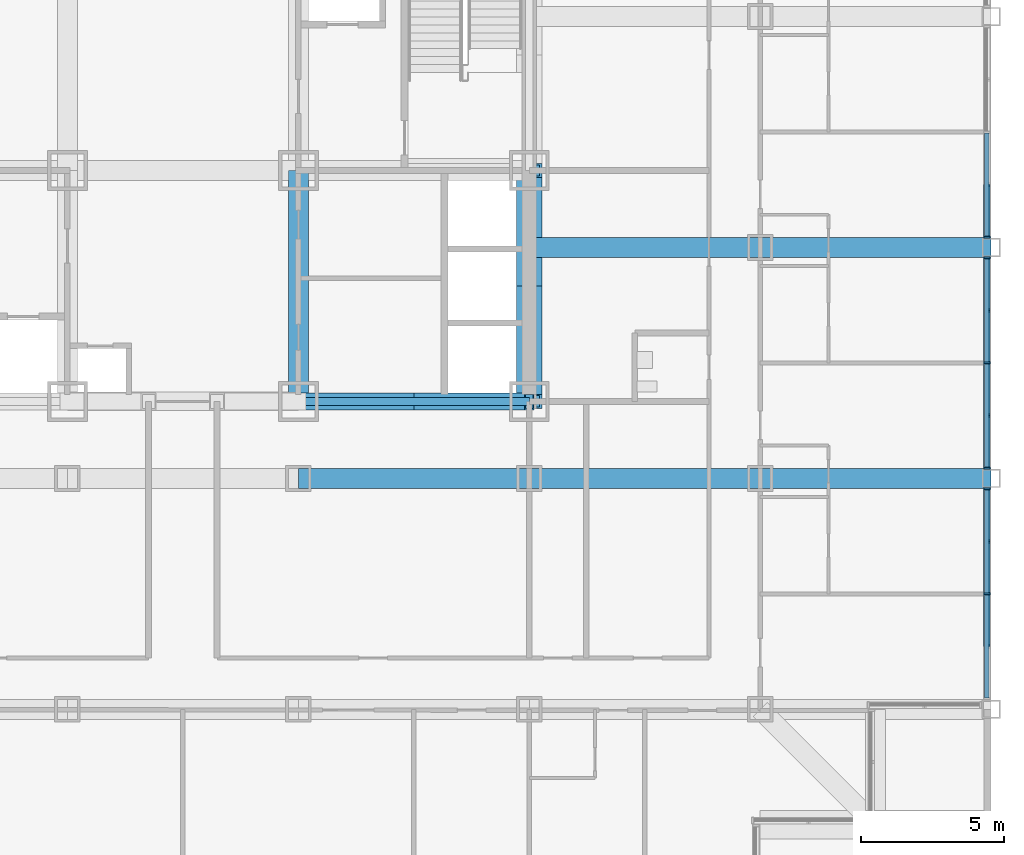
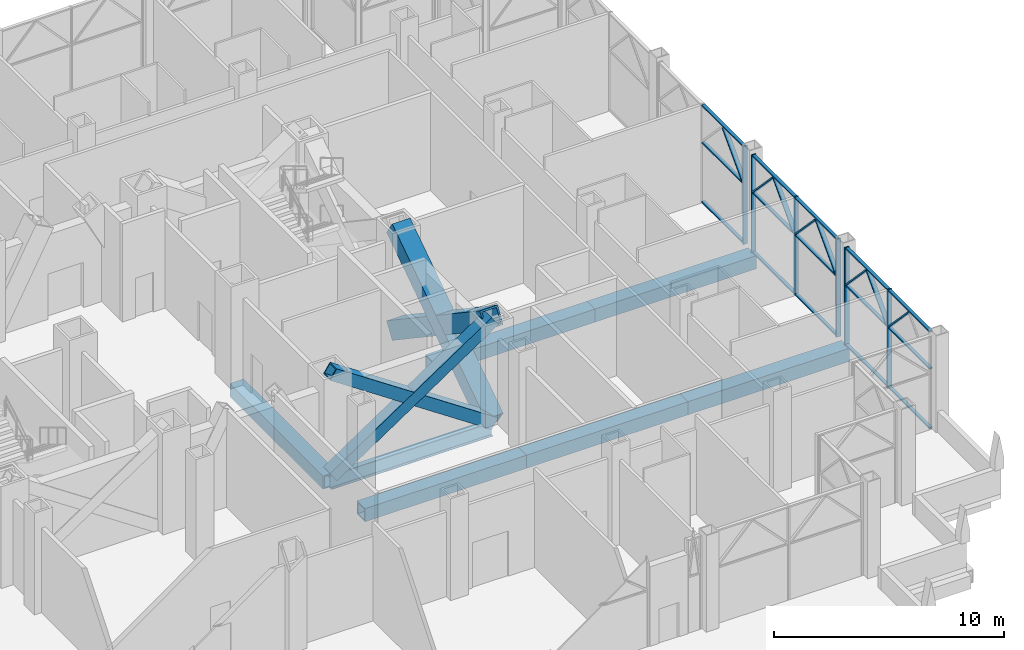
# One storey, part 5 of 26: 33 members, 7 beams, 3 elements without a shape of their own.
"""IFC4 building model written with IfcOpenShell, lengths in metres."""

from ifc_helpers import new_model, si_unit, direction, frame, origin, origin_2d, place, context, subcontext, project, spatial, rectangle, hollow_rectangle, i_section, extrude, material, material_profile, profile_set, type_object, element, aggregate, save


model = new_model("IFC4")

# Units and contexts
model_context = context("Model", 3, precision=1e-05, world=origin(), true_north=direction((0.0, 1.0)))
body_context = subcontext(model_context, "Body", "Model", "MODEL_VIEW")
ifc_project = project(units=[si_unit("LENGTHUNIT", "METRE"), si_unit("AREAUNIT", "SQUARE_METRE"), si_unit("VOLUMEUNIT", "CUBIC_METRE"), si_unit("PLANEANGLEUNIT", "RADIAN"), si_unit("MASSUNIT", "GRAM", prefix="KILO")], contexts=[model_context])

# Site, building, storey
site_placement = place(None, origin())
site = spatial("IfcSite", under=ifc_project, at=site_placement, CompositionType="ELEMENT")
building_placement = place(site_placement, origin())
building = spatial("IfcBuilding", under=site, at=building_placement, Name="Kopane Lantern Tower", CompositionType="ELEMENT")
storey_placement = place(building_placement, frame((0.0, 0.0, 98.0)))
storey = spatial("IfcBuildingStorey", under=building, at=storey_placement, Name="L24", CompositionType="ELEMENT", Elevation=98.0)

# Members
ifc_material_1 = material(Name="Steel S355JR", Category="steel")
ifc_material_profile_1 = material_profile(ifc_material_1, hollow_rectangle(XDim=0.60009765625, YDim=0.60009765625, WallThickness=0.050048828125, at=origin_2d()), Name="BOX 600x600x50")
ifc_profile_set_1 = profile_set([ifc_material_profile_1], Name="Steel S355JR")
member_type_1 = type_object("IfcMemberType", Name="BRACE BOX 600x600x50", PredefinedType="BRACE", material=ifc_profile_set_1)
for number, where, z_axis, x_axis, name in (
    (1, (32.39990234375, 24.300048828125, -0.25), (0.830159256911, 0.0, 0.557526329571), (0.0, 1.0, 0.0), "Core brace L24"),
    (2, (40.5, 24.300048828125, -0.25), (-0.830159256911, 0.0, 0.557526329571), (0.0, -1.0, 0.0), "Core brace L24"),
):
    element("IfcMember", number, at=place(storey_placement, frame(where, z_axis=z_axis, x_axis=x_axis)), inside=storey, type_object=member_type_1, Name=name, PredefinedType="BRACE", context=body_context, shape_type="SweptSolid", body=[
        extrude(hollow_rectangle(XDim=0.60009765625, YDim=0.60009765625, WallThickness=0.050048828125, at=origin_2d()), origin(), (0.0, 0.0, 1.0), 9.75732421875),
    ])
ifc_material_2 = material(Name="Steel S355JR", Category="steel")
ifc_material_profile_2 = material_profile(ifc_material_2, hollow_rectangle(XDim=0.89990234375, YDim=0.89990234375, WallThickness=0.090087890625, at=origin_2d()), Name="BOX 900x900x90")
ifc_profile_set_2 = profile_set([ifc_material_profile_2], Name="Steel S355JR")
member_type_2 = type_object("IfcMemberType", Name="BRACE BOX 900x900x90", PredefinedType="BRACE", material=ifc_profile_set_2)
for number, where, z_axis, x_axis, name in (
    (3, (40.5, 24.300048828125, -0.25), (0.0, 0.830151479134, 0.557537910542), (-1.0, 0.0, 0.0), "Core brace L24"),
    (4, (40.5, 32.39990234375, -0.25), (0.0, -0.830151479134, 0.557537910542), (1.0, 0.0, 0.0), "Core brace L24"),
):
    element("IfcMember", number, at=place(storey_placement, frame(where, z_axis=z_axis, x_axis=x_axis)), inside=storey, type_object=member_type_2, Name=name, PredefinedType="BRACE", context=body_context, shape_type="SweptSolid", body=[
        extrude(hollow_rectangle(XDim=0.89990234375, YDim=0.89990234375, WallThickness=0.090087890625, at=origin_2d()), origin(), (0.0, 0.0, 1.0), 9.757080078125),
    ])

# Beams
ifc_material_3 = material(Name="Steel S355JR", Category="steel")
ifc_material_profile_3 = material_profile(ifc_material_3, hollow_rectangle(XDim=0.699951171875, YDim=0.699951171875, WallThickness=0.06005859375, at=origin_2d()), Name="BOX 700x700x60")
ifc_profile_set_3 = profile_set([ifc_material_profile_3], Name="Steel S355JR")
beam_type_1 = type_object("IfcBeamType", Name="CORE BEAM BOX 700x700x60", PredefinedType="BEAM", material=ifc_profile_set_3)
beam_1_placement = place(storey_placement, frame((32.39990234375, 24.300048828125, -0.60009765625), z_axis=(0.0, 1.0, 0.0), x_axis=(-1.0, 0.0, 0.0)))
element("IfcBeam", 5, at=beam_1_placement, inside=storey, type_object=beam_type_1, Name="Core Beam L24", PredefinedType="BEAM", context=body_context, shape_type="SweptSolid", body=[
    extrude(hollow_rectangle(XDim=0.699951171875, YDim=0.699951171875, WallThickness=0.06005859375, at=origin_2d()), origin(), (0.0, 0.0, 1.0), 8.099853515625),
])
ifc_material_4 = material(Name="Steel S355JR", Category="steel")
ifc_material_profile_4 = material_profile(ifc_material_4, hollow_rectangle(XDim=0.699951171875, YDim=0.699951171875, WallThickness=0.06005859375, at=origin_2d()), Name="BOX 700x700x60")
ifc_profile_set_4 = profile_set([ifc_material_profile_4], Name="Steel S355JR")
beam_type_2 = type_object("IfcBeamType", Name="GIRDER BOX 700x700x60", PredefinedType="BEAM", material=ifc_profile_set_4)
for number, where, z_axis, x_axis, name in (
    (6, (32.39990234375, 21.60009765625, -0.60009765625), (1.0, 0.0, 0.0), (0.0, 1.0, 0.0), "Girder L24"),
    (7, (40.5, 21.60009765625, -0.60009765625), (1.0, 0.0, 0.0), (0.0, 1.0, 0.0), "Girder L24"),
    (8, (40.5, 29.699951171875, -0.60009765625), (1.0, 0.0, 0.0), (0.0, 1.0, 0.0), "Girder L24"),
):
    element("IfcBeam", number, at=place(storey_placement, frame(where, z_axis=z_axis, x_axis=x_axis)), inside=storey, type_object=beam_type_2, Name=name, PredefinedType="BEAM", context=body_context, shape_type="SweptSolid", body=[
        extrude(hollow_rectangle(XDim=0.699951171875, YDim=0.699951171875, WallThickness=0.06005859375, at=origin_2d()), origin(), (0.0, 0.0, 1.0), 8.10009765625),
    ])
for number, where, z_axis, x_axis, name in (
    (9, (48.60009765625, 21.60009765625, -0.60009765625), (1.0, 0.0, 0.0), (0.0, 1.0, 0.0), "Girder L24"),
    (10, (48.60009765625, 29.699951171875, -0.60009765625), (1.0, 0.0, 0.0), (0.0, 1.0, 0.0), "Girder L24"),
):
    element("IfcBeam", number, at=place(storey_placement, frame(where, z_axis=z_axis, x_axis=x_axis)), inside=storey, type_object=beam_type_2, Name=name, PredefinedType="BEAM", context=body_context, shape_type="SweptSolid", body=[
        extrude(hollow_rectangle(XDim=0.699951171875, YDim=0.699951171875, WallThickness=0.06005859375, at=origin_2d()), origin(), (0.0, 0.0, 1.0), 8.099853515625),
    ])
ifc_material_5 = material(Name="Steel S355JR", Category="steel")
ifc_material_profile_5 = material_profile(ifc_material_5, i_section(OverallWidth=0.2666015625, OverallDepth=0.76220703125, WebThickness=0.014404296875, FlangeThickness=0.021484375, FilletRadius=0.0166015625, at=origin_2d()), Name="UB 762x267x173")
ifc_profile_set_5 = profile_set([ifc_material_profile_5], Name="Steel S355JR")
beam_type_3 = type_object("IfcBeamType", Name="GIRDER UB 762x267x173", PredefinedType="BEAM", material=ifc_profile_set_5)
beam_2_placement = place(storey_placement, frame((32.39990234375, 24.300048828125, -0.631103515625), z_axis=(1.0, 0.0, 0.0), x_axis=(0.0, 1.0, 0.0)))
element("IfcBeam", 11, at=beam_2_placement, inside=storey, type_object=beam_type_3, Name="Girder L24", PredefinedType="BEAM", context=body_context, shape_type="SweptSolid", body=[
    extrude(i_section(OverallWidth=0.2666015625, OverallDepth=0.76220703125, WebThickness=0.014404296875, FlangeThickness=0.021484375, FilletRadius=0.0166015625, at=origin_2d()), origin(), (0.0, 0.0, 1.0), 8.10009765625),
])

# Curtain wall, members
ifc_material_6 = material(Name="Aluminium and clear glass", Category="aluminium")
curtain_wall_type = type_object("IfcCurtainWallType", Name="CURTAIN WALL CW3 SKY LOBBY", PredefinedType="USERDEFINED", material=ifc_material_6)
curtain_wall_1_placement = place(storey_placement, origin())
curtain_wall_1 = element("IfcCurtainWall", 12, at=curtain_wall_1_placement, inside=storey, type_object=curtain_wall_type, Name="Curtain wall CW3 E L24", ObjectType="CURTAIN WALL", PredefinedType="USERDEFINED")
ifc_material_7 = material(Name="Aluminium", Category="aluminium")
ifc_material_profile_6 = material_profile(ifc_material_7, rectangle(XDim=0.070068359375, YDim=0.22509765625, at=origin_2d()), Name="AL 70x225")
ifc_profile_set_6 = profile_set([ifc_material_profile_6], Name="Aluminium")
member_type_3 = type_object("IfcMemberType", Name="MULLION CW3-M 70x225", PredefinedType="MULLION", material=ifc_profile_set_6)
member_1_placement = place(storey_placement, frame((56.550048828125, 17.550048828125, 0.0), z_axis=(0.0, 0.0, 1.0), x_axis=(0.0, 1.0, 0.0)))
member_1 = element("IfcMember", 13, at=member_1_placement, type_object=member_type_3, Name="CW3 mullion 2", PredefinedType="MULLION", context=body_context, shape_type="SweptSolid", body=[
    extrude(rectangle(XDim=0.070068359375, YDim=0.22509765625, at=origin_2d()), origin(), (0.0, 0.0, 1.0), 5.18994140625),
])
member_2_placement = place(storey_placement, frame((56.550048828125, 21.235107421875, 0.0), z_axis=(0.0, 0.0, 1.0), x_axis=(0.0, 1.0, 0.0)))
member_2 = element("IfcMember", 14, at=member_2_placement, type_object=member_type_3, Name="CW3 mullion 3", PredefinedType="MULLION", context=body_context, shape_type="SweptSolid", body=[
    extrude(rectangle(XDim=0.070068359375, YDim=0.22509765625, at=origin_2d()), origin(), (0.0, 0.0, 1.0), 5.18994140625),
])
member_3_placement = place(storey_placement, frame((56.550048828125, 17.489501953125, 3.2490234375), z_axis=(0.0, -0.689164705863, 0.724604725483), x_axis=(0.0, 0.724604725483, 0.689164705863)))
member_3 = element("IfcMember", 15, at=member_3_placement, type_object=member_type_3, Name="CW3 lancet mullion 1R", PredefinedType="MULLION", context=body_context, shape_type="SweptSolid", body=[
    extrude(rectangle(XDim=0.070068359375, YDim=0.22509765625, at=origin_2d()), origin(), (0.0, 0.0, 1.0), 2.548828125),
])
member_4_placement = place(storey_placement, frame((56.550048828125, 17.6103515625, 3.2490234375), z_axis=(0.0, 0.689214992379, 0.724556895129), x_axis=(0.0, -0.724556895129, 0.689214992379)))
member_4 = element("IfcMember", 16, at=member_4_placement, type_object=member_type_3, Name="CW3 lancet mullion 2L", PredefinedType="MULLION", context=body_context, shape_type="SweptSolid", body=[
    extrude(rectangle(XDim=0.070068359375, YDim=0.22509765625, at=origin_2d()), origin(), (0.0, 0.0, 1.0), 2.549072265625),
])
member_5_placement = place(storey_placement, frame((56.550048828125, 21.174560546875, 3.2490234375), z_axis=(0.0, -0.689164705863, 0.724604725483), x_axis=(0.0, 0.724604725483, 0.689164705863)))
member_5 = element("IfcMember", 17, at=member_5_placement, type_object=member_type_3, Name="CW3 lancet mullion 2R", PredefinedType="MULLION", context=body_context, shape_type="SweptSolid", body=[
    extrude(rectangle(XDim=0.070068359375, YDim=0.22509765625, at=origin_2d()), origin(), (0.0, 0.0, 1.0), 2.548828125),
])

curtain_wall_2_placement = place(storey_placement, origin())
curtain_wall_2 = element("IfcCurtainWall", 18, at=curtain_wall_2_placement, inside=storey, type_object=curtain_wall_type, Name="Curtain wall CW3 E L24", ObjectType="CURTAIN WALL", PredefinedType="USERDEFINED")
member_6_placement = place(storey_placement, frame((56.550048828125, 21.965087890625, 0.0), z_axis=(0.0, 0.0, 1.0), x_axis=(0.0, 1.0, 0.0)))
member_6 = element("IfcMember", 19, at=member_6_placement, type_object=member_type_3, Name="CW3 mullion 1", PredefinedType="MULLION", context=body_context, shape_type="SweptSolid", body=[
    extrude(rectangle(XDim=0.070068359375, YDim=0.22509765625, at=origin_2d()), origin(), (0.0, 0.0, 1.0), 5.18994140625),
])
member_7_placement = place(storey_placement, frame((56.550048828125, 25.64990234375, 0.0), z_axis=(0.0, 0.0, 1.0), x_axis=(0.0, 1.0, 0.0)))
member_7 = element("IfcMember", 20, at=member_7_placement, type_object=member_type_3, Name="CW3 mullion 2", PredefinedType="MULLION", context=body_context, shape_type="SweptSolid", body=[
    extrude(rectangle(XDim=0.070068359375, YDim=0.22509765625, at=origin_2d()), origin(), (0.0, 0.0, 1.0), 5.18994140625),
])
member_8_placement = place(storey_placement, frame((56.550048828125, 29.3349609375, 0.0), z_axis=(0.0, 0.0, 1.0), x_axis=(0.0, 1.0, 0.0)))
member_8 = element("IfcMember", 21, at=member_8_placement, type_object=member_type_3, Name="CW3 mullion 3", PredefinedType="MULLION", context=body_context, shape_type="SweptSolid", body=[
    extrude(rectangle(XDim=0.070068359375, YDim=0.22509765625, at=origin_2d()), origin(), (0.0, 0.0, 1.0), 5.18994140625),
])
member_9_placement = place(storey_placement, frame((56.550048828125, 22.025390625, 3.2490234375), z_axis=(0.0, 0.689164705863, 0.724604725483), x_axis=(0.0, -0.724604725483, 0.689164705863)))
member_9 = element("IfcMember", 22, at=member_9_placement, type_object=member_type_3, Name="CW3 lancet mullion 1L", PredefinedType="MULLION", context=body_context, shape_type="SweptSolid", body=[
    extrude(rectangle(XDim=0.070068359375, YDim=0.22509765625, at=origin_2d()), origin(), (0.0, 0.0, 1.0), 2.548828125),
])
member_10_placement = place(storey_placement, frame((56.550048828125, 25.589599609375, 3.2490234375), z_axis=(0.0, -0.689164705863, 0.724604725483), x_axis=(0.0, 0.724604725483, 0.689164705863)))
member_10 = element("IfcMember", 23, at=member_10_placement, type_object=member_type_3, Name="CW3 lancet mullion 1R", PredefinedType="MULLION", context=body_context, shape_type="SweptSolid", body=[
    extrude(rectangle(XDim=0.070068359375, YDim=0.22509765625, at=origin_2d()), origin(), (0.0, 0.0, 1.0), 2.548828125),
])
member_11_placement = place(storey_placement, frame((56.550048828125, 25.71044921875, 3.2490234375), z_axis=(0.0, 0.689164705863, 0.724604725483), x_axis=(0.0, -0.724604725483, 0.689164705863)))
member_11 = element("IfcMember", 24, at=member_11_placement, type_object=member_type_3, Name="CW3 lancet mullion 2L", PredefinedType="MULLION", context=body_context, shape_type="SweptSolid", body=[
    extrude(rectangle(XDim=0.070068359375, YDim=0.22509765625, at=origin_2d()), origin(), (0.0, 0.0, 1.0), 2.548828125),
])
member_12_placement = place(storey_placement, frame((56.550048828125, 29.274658203125, 3.2490234375), z_axis=(0.0, -0.689214992379, 0.724556895129), x_axis=(0.0, 0.724556895129, 0.689214992379)))
member_12 = element("IfcMember", 25, at=member_12_placement, type_object=member_type_3, Name="CW3 lancet mullion 2R", PredefinedType="MULLION", context=body_context, shape_type="SweptSolid", body=[
    extrude(rectangle(XDim=0.070068359375, YDim=0.22509765625, at=origin_2d()), origin(), (0.0, 0.0, 1.0), 2.549072265625),
])

curtain_wall_3_placement = place(storey_placement, origin())
curtain_wall_3 = element("IfcCurtainWall", 26, at=curtain_wall_3_placement, inside=storey, type_object=curtain_wall_type, Name="Curtain wall CW3 E L24", ObjectType="CURTAIN WALL", PredefinedType="USERDEFINED")
member_13_placement = place(storey_placement, frame((56.550048828125, 30.06494140625, 0.0), z_axis=(0.0, 0.0, 1.0), x_axis=(0.0, 1.0, 0.0)))
member_13 = element("IfcMember", 27, at=member_13_placement, type_object=member_type_3, Name="CW3 mullion 1", PredefinedType="MULLION", context=body_context, shape_type="SweptSolid", body=[
    extrude(rectangle(XDim=0.070068359375, YDim=0.22509765625, at=origin_2d()), origin(), (0.0, 0.0, 1.0), 5.18994140625),
])
member_14_placement = place(storey_placement, frame((56.550048828125, 30.12548828125, 3.2490234375), z_axis=(0.0, 0.689164705863, 0.724604725483), x_axis=(0.0, -0.724604725483, 0.689164705863)))
member_14 = element("IfcMember", 28, at=member_14_placement, type_object=member_type_3, Name="CW3 lancet mullion 1L", PredefinedType="MULLION", context=body_context, shape_type="SweptSolid", body=[
    extrude(rectangle(XDim=0.070068359375, YDim=0.22509765625, at=origin_2d()), origin(), (0.0, 0.0, 1.0), 2.548828125),
])

# Member
ifc_material_8 = material(Name="Aluminium", Category="aluminium")
ifc_material_profile_7 = material_profile(ifc_material_8, rectangle(XDim=0.159912109375, YDim=0.070068359375, at=origin_2d()), Name="AL 160x70")
ifc_profile_set_7 = profile_set([ifc_material_profile_7], Name="Aluminium")
member_type_4 = type_object("IfcMemberType", Name="TRANSOM CW3-T 70x160", PredefinedType="USERDEFINED", material=ifc_profile_set_7)
member_15_placement = place(storey_placement, frame((56.550048828125, 13.89990234375, 0.034912109375), z_axis=(0.0, 1.0, 0.0), x_axis=(-1.0, 0.0, 0.0)))
member_15 = element("IfcMember", 29, at=member_15_placement, type_object=member_type_4, Name="CW3 transom 1.1", ObjectType="TRANSOM", PredefinedType="USERDEFINED", context=body_context, shape_type="SweptSolid", body=[
    extrude(rectangle(XDim=0.159912109375, YDim=0.070068359375, at=origin_2d()), origin(), (0.0, 0.0, 1.0), 3.614990234375),
])

member_16_placement = place(storey_placement, frame((56.550048828125, 13.89990234375, 3.18994140625), z_axis=(0.0, 1.0, 0.0), x_axis=(-1.0, 0.0, 0.0)))
member_16 = element("IfcMember", 30, at=member_16_placement, type_object=member_type_4, Name="CW3 transom 1.2", ObjectType="TRANSOM", PredefinedType="USERDEFINED", context=body_context, shape_type="SweptSolid", body=[
    extrude(rectangle(XDim=0.159912109375, YDim=0.070068359375, at=origin_2d()), origin(), (0.0, 0.0, 1.0), 3.614990234375),
])

member_17_placement = place(storey_placement, frame((56.550048828125, 13.89990234375, 5.155029296875), z_axis=(0.0, 1.0, 0.0), x_axis=(-1.0, 0.0, 0.0)))
member_17 = element("IfcMember", 31, at=member_17_placement, type_object=member_type_4, Name="CW3 transom 1.3", ObjectType="TRANSOM", PredefinedType="USERDEFINED", context=body_context, shape_type="SweptSolid", body=[
    extrude(rectangle(XDim=0.159912109375, YDim=0.070068359375, at=origin_2d()), origin(), (0.0, 0.0, 1.0), 3.614990234375),
])

member_18_placement = place(storey_placement, frame((56.550048828125, 17.5849609375, 0.034912109375), z_axis=(0.0, 1.0, 0.0), x_axis=(-1.0, 0.0, 0.0)))
member_18 = element("IfcMember", 32, at=member_18_placement, type_object=member_type_4, Name="CW3 transom 2.1", ObjectType="TRANSOM", PredefinedType="USERDEFINED", context=body_context, shape_type="SweptSolid", body=[
    extrude(rectangle(XDim=0.159912109375, YDim=0.070068359375, at=origin_2d()), origin(), (0.0, 0.0, 1.0), 3.614990234375),
])

member_19_placement = place(storey_placement, frame((56.550048828125, 17.5849609375, 3.18994140625), z_axis=(0.0, 1.0, 0.0), x_axis=(-1.0, 0.0, 0.0)))
member_19 = element("IfcMember", 33, at=member_19_placement, type_object=member_type_4, Name="CW3 transom 2.2", ObjectType="TRANSOM", PredefinedType="USERDEFINED", context=body_context, shape_type="SweptSolid", body=[
    extrude(rectangle(XDim=0.159912109375, YDim=0.070068359375, at=origin_2d()), origin(), (0.0, 0.0, 1.0), 3.614990234375),
])

member_20_placement = place(storey_placement, frame((56.550048828125, 17.5849609375, 5.155029296875), z_axis=(0.0, 1.0, 0.0), x_axis=(-1.0, 0.0, 0.0)))
member_20 = element("IfcMember", 34, at=member_20_placement, type_object=member_type_4, Name="CW3 transom 2.3", ObjectType="TRANSOM", PredefinedType="USERDEFINED", context=body_context, shape_type="SweptSolid", body=[
    extrude(rectangle(XDim=0.159912109375, YDim=0.070068359375, at=origin_2d()), origin(), (0.0, 0.0, 1.0), 3.614990234375),
])

aggregate(curtain_wall_1, [member_1, member_2, member_15, member_16, member_17, member_18, member_19, member_20, member_3, member_4, member_5])

member_21_placement = place(storey_placement, frame((56.550048828125, 22.0, 0.034912109375), z_axis=(0.0, 1.0, 0.0), x_axis=(-1.0, 0.0, 0.0)))
member_21 = element("IfcMember", 35, at=member_21_placement, type_object=member_type_4, Name="CW3 transom 1.1", ObjectType="TRANSOM", PredefinedType="USERDEFINED", context=body_context, shape_type="SweptSolid", body=[
    extrude(rectangle(XDim=0.159912109375, YDim=0.070068359375, at=origin_2d()), origin(), (0.0, 0.0, 1.0), 3.614990234375),
])

member_22_placement = place(storey_placement, frame((56.550048828125, 22.0, 3.18994140625), z_axis=(0.0, 1.0, 0.0), x_axis=(-1.0, 0.0, 0.0)))
member_22 = element("IfcMember", 36, at=member_22_placement, type_object=member_type_4, Name="CW3 transom 1.2", ObjectType="TRANSOM", PredefinedType="USERDEFINED", context=body_context, shape_type="SweptSolid", body=[
    extrude(rectangle(XDim=0.159912109375, YDim=0.070068359375, at=origin_2d()), origin(), (0.0, 0.0, 1.0), 3.614990234375),
])

member_23_placement = place(storey_placement, frame((56.550048828125, 22.0, 5.155029296875), z_axis=(0.0, 1.0, 0.0), x_axis=(-1.0, 0.0, 0.0)))
member_23 = element("IfcMember", 37, at=member_23_placement, type_object=member_type_4, Name="CW3 transom 1.3", ObjectType="TRANSOM", PredefinedType="USERDEFINED", context=body_context, shape_type="SweptSolid", body=[
    extrude(rectangle(XDim=0.159912109375, YDim=0.070068359375, at=origin_2d()), origin(), (0.0, 0.0, 1.0), 3.614990234375),
])

member_24_placement = place(storey_placement, frame((56.550048828125, 25.68505859375, 0.034912109375), z_axis=(0.0, 1.0, 0.0), x_axis=(-1.0, 0.0, 0.0)))
member_24 = element("IfcMember", 38, at=member_24_placement, type_object=member_type_4, Name="CW3 transom 2.1", ObjectType="TRANSOM", PredefinedType="USERDEFINED", context=body_context, shape_type="SweptSolid", body=[
    extrude(rectangle(XDim=0.159912109375, YDim=0.070068359375, at=origin_2d()), origin(), (0.0, 0.0, 1.0), 3.614990234375),
])

member_25_placement = place(storey_placement, frame((56.550048828125, 25.68505859375, 3.18994140625), z_axis=(0.0, 1.0, 0.0), x_axis=(-1.0, 0.0, 0.0)))
member_25 = element("IfcMember", 39, at=member_25_placement, type_object=member_type_4, Name="CW3 transom 2.2", ObjectType="TRANSOM", PredefinedType="USERDEFINED", context=body_context, shape_type="SweptSolid", body=[
    extrude(rectangle(XDim=0.159912109375, YDim=0.070068359375, at=origin_2d()), origin(), (0.0, 0.0, 1.0), 3.614990234375),
])

member_26_placement = place(storey_placement, frame((56.550048828125, 25.68505859375, 5.155029296875), z_axis=(0.0, 1.0, 0.0), x_axis=(-1.0, 0.0, 0.0)))
member_26 = element("IfcMember", 40, at=member_26_placement, type_object=member_type_4, Name="CW3 transom 2.3", ObjectType="TRANSOM", PredefinedType="USERDEFINED", context=body_context, shape_type="SweptSolid", body=[
    extrude(rectangle(XDim=0.159912109375, YDim=0.070068359375, at=origin_2d()), origin(), (0.0, 0.0, 1.0), 3.614990234375),
])

aggregate(curtain_wall_2, [member_6, member_7, member_8, member_21, member_22, member_23, member_24, member_25, member_26, member_9, member_10, member_11, member_12])

member_27_placement = place(storey_placement, frame((56.550048828125, 30.10009765625, 0.034912109375), z_axis=(0.0, 1.0, 0.0), x_axis=(-1.0, 0.0, 0.0)))
member_27 = element("IfcMember", 41, at=member_27_placement, type_object=member_type_4, Name="CW3 transom 1.1", ObjectType="TRANSOM", PredefinedType="USERDEFINED", context=body_context, shape_type="SweptSolid", body=[
    extrude(rectangle(XDim=0.159912109375, YDim=0.070068359375, at=origin_2d()), origin(), (0.0, 0.0, 1.0), 3.614990234375),
])

member_28_placement = place(storey_placement, frame((56.550048828125, 30.10009765625, 3.18994140625), z_axis=(0.0, 1.0, 0.0), x_axis=(-1.0, 0.0, 0.0)))
member_28 = element("IfcMember", 42, at=member_28_placement, type_object=member_type_4, Name="CW3 transom 1.2", ObjectType="TRANSOM", PredefinedType="USERDEFINED", context=body_context, shape_type="SweptSolid", body=[
    extrude(rectangle(XDim=0.159912109375, YDim=0.070068359375, at=origin_2d()), origin(), (0.0, 0.0, 1.0), 3.614990234375),
])

member_29_placement = place(storey_placement, frame((56.550048828125, 30.10009765625, 5.155029296875), z_axis=(0.0, 1.0, 0.0), x_axis=(-1.0, 0.0, 0.0)))
member_29 = element("IfcMember", 43, at=member_29_placement, type_object=member_type_4, Name="CW3 transom 1.3", ObjectType="TRANSOM", PredefinedType="USERDEFINED", context=body_context, shape_type="SweptSolid", body=[
    extrude(rectangle(XDim=0.159912109375, YDim=0.070068359375, at=origin_2d()), origin(), (0.0, 0.0, 1.0), 3.614990234375),
])

aggregate(curtain_wall_3, [member_13, member_27, member_28, member_29, member_14])

save(model, "model.ifc")
